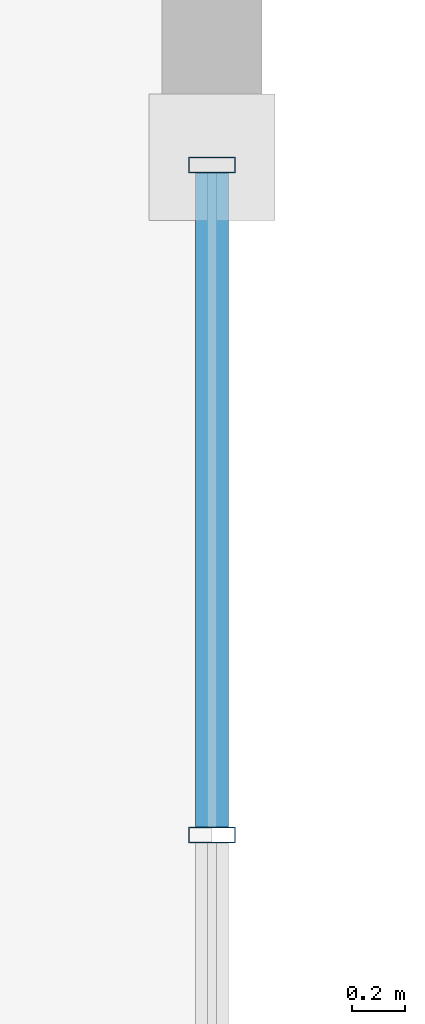
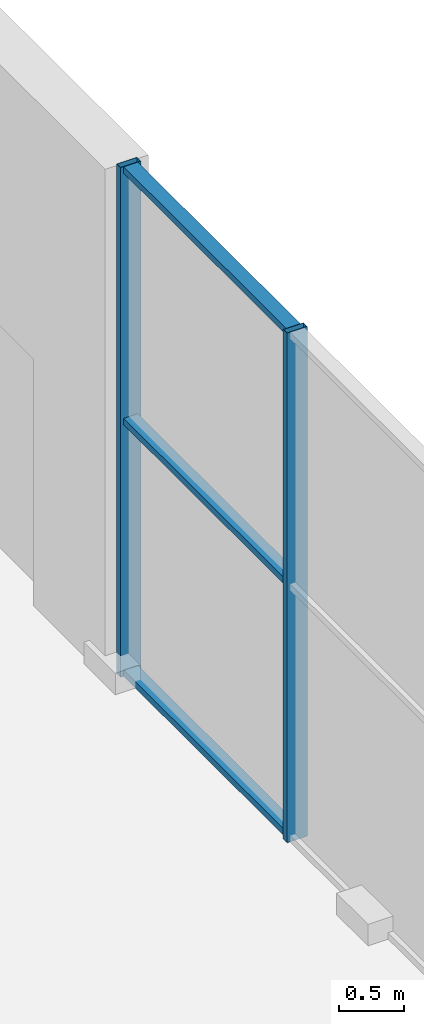
# One storey, part 82 of 196: 5 members, 1 element without a shape of its own.
"""IFC4 building model written with IfcOpenShell, lengths in metres."""

from ifc_helpers import new_model, si_unit, direction, frame, origin, origin_2d, place, context, subcontext, project, spatial, hollow_rectangle, extrude, material, material_profile, profile_set, type_object, element, aggregate, save


model = new_model("IFC4")

# Units and contexts
model_context = context("Model", 3, precision=1e-05, world=origin(), true_north=direction((0.0, 1.0)))
body_context = subcontext(model_context, "Body", "Model", "MODEL_VIEW")
ifc_project = project(units=[si_unit("LENGTHUNIT", "METRE"), si_unit("AREAUNIT", "SQUARE_METRE"), si_unit("VOLUMEUNIT", "CUBIC_METRE"), si_unit("PLANEANGLEUNIT", "RADIAN"), si_unit("MASSUNIT", "GRAM", prefix="KILO")], contexts=[model_context])

# Site, building, storey
site_placement = place(None, origin())
site = spatial("IfcSite", under=ifc_project, at=site_placement, CompositionType="ELEMENT")
building_placement = place(site_placement, origin())
building = spatial("IfcBuilding", under=site, at=building_placement, Name="Merenkruunu Market Hall", CompositionType="ELEMENT")
storey_placement = place(building_placement, origin())
storey = spatial("IfcBuildingStorey", under=building, at=storey_placement, Name="L00", CompositionType="ELEMENT", Elevation=0.0)

# Curtain wall, members
ifc_material = material(Name="Powder-coated aluminium", Category="aluminium")
curtain_wall_type = type_object("IfcCurtainWallType", Name="Glazed Curtain Wall CW12", PredefinedType="USERDEFINED", material=ifc_material)
curtain_wall_placement = place(storey_placement, origin())
curtain_wall = element("IfcCurtainWall", 1, at=curtain_wall_placement, inside=storey, type_object=curtain_wall_type, Name="CW-L00-CWM02-159", ObjectType="GLAZED_FACADE", PredefinedType="USERDEFINED")
ifc_material_profile_1 = material_profile(ifc_material, hollow_rectangle(XDim=0.06005859375, YDim=0.179931640625, WallThickness=0.00390625, at=origin_2d()), Name="ALU 60x180x4")
ifc_profile_set_1 = profile_set([ifc_material_profile_1], Name="Powder-coated aluminium")
member_type_1 = type_object("IfcMemberType", Name="Curtain Wall Mullion CWM02", PredefinedType="MULLION", material=ifc_profile_set_1)
member_1_placement = place(storey_placement, frame((76.800048828125, 59.570068359375, 0.0), z_axis=(0.0, 0.0, 1.0), x_axis=(0.0, -1.0, 0.0)))
member_1 = element("IfcMember", 2, at=member_1_placement, type_object=member_type_1, Name="CW12 mullion 1", PredefinedType="MULLION", context=body_context, shape_type="SweptSolid", body=[
    extrude(hollow_rectangle(XDim=0.06005859375, YDim=0.179931640625, WallThickness=0.00390625, at=origin_2d()), origin(), (0.0, 0.0, 1.0), 4.75),
])
member_2_placement = place(storey_placement, frame((76.800048828125, 57.026611328125, 0.0), z_axis=(0.0, 0.0, 1.0), x_axis=(0.0, -1.0, 0.0)))
member_2 = element("IfcMember", 3, at=member_2_placement, type_object=member_type_1, Name="CW12 mullion 2", PredefinedType="MULLION", context=body_context, shape_type="SweptSolid", body=[
    extrude(hollow_rectangle(XDim=0.06005859375, YDim=0.179931640625, WallThickness=0.00390625, at=origin_2d()), origin(), (0.0, 0.0, 1.0), 4.75),
])
ifc_material_profile_2 = material_profile(ifc_material, hollow_rectangle(XDim=0.06005859375, YDim=0.125, WallThickness=0.00390625, at=origin_2d()), Name="ALU 60x125x4")
ifc_profile_set_2 = profile_set([ifc_material_profile_2], Name="Powder-coated aluminium")
member_type_2 = type_object("IfcMemberType", Name="Curtain Wall Transom CWT01", PredefinedType="USERDEFINED", material=ifc_profile_set_2)
member_3_placement = place(storey_placement, frame((76.800048828125, 59.5400390625, 0.030029296875), z_axis=(0.0, -1.0, 0.0), x_axis=(0.0, 0.0, 1.0)))
member_3 = element("IfcMember", 4, at=member_3_placement, type_object=member_type_2, Name="CW12 transom 1.1", ObjectType="TRANSOM", PredefinedType="USERDEFINED", context=body_context, shape_type="SweptSolid", body=[
    extrude(hollow_rectangle(XDim=0.06005859375, YDim=0.125, WallThickness=0.00390625, at=origin_2d()), origin(), (0.0, 0.0, 1.0), 2.4833984375),
])
member_4_placement = place(storey_placement, frame((76.800048828125, 59.5400390625, 2.375), z_axis=(0.0, -1.0, 0.0), x_axis=(0.0, 0.0, 1.0)))
member_4 = element("IfcMember", 5, at=member_4_placement, type_object=member_type_2, Name="CW12 transom 1.2", ObjectType="TRANSOM", PredefinedType="USERDEFINED", context=body_context, shape_type="SweptSolid", body=[
    extrude(hollow_rectangle(XDim=0.06005859375, YDim=0.125, WallThickness=0.00390625, at=origin_2d()), origin(), (0.0, 0.0, 1.0), 2.4833984375),
])
member_5_placement = place(storey_placement, frame((76.800048828125, 59.5400390625, 4.719970703125), z_axis=(0.0, -1.0, 0.0), x_axis=(0.0, 0.0, 1.0)))
member_5 = element("IfcMember", 6, at=member_5_placement, type_object=member_type_2, Name="CW12 transom 1.3", ObjectType="TRANSOM", PredefinedType="USERDEFINED", context=body_context, shape_type="SweptSolid", body=[
    extrude(hollow_rectangle(XDim=0.06005859375, YDim=0.125, WallThickness=0.00390625, at=origin_2d()), origin(), (0.0, 0.0, 1.0), 2.4833984375),
])
aggregate(curtain_wall, [member_1, member_2, member_3, member_4, member_5])

save(model, "model.ifc")
